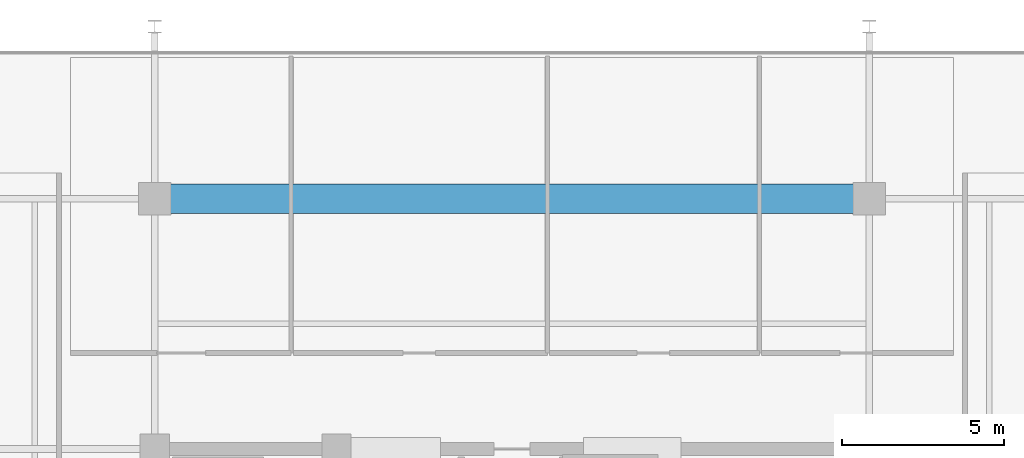
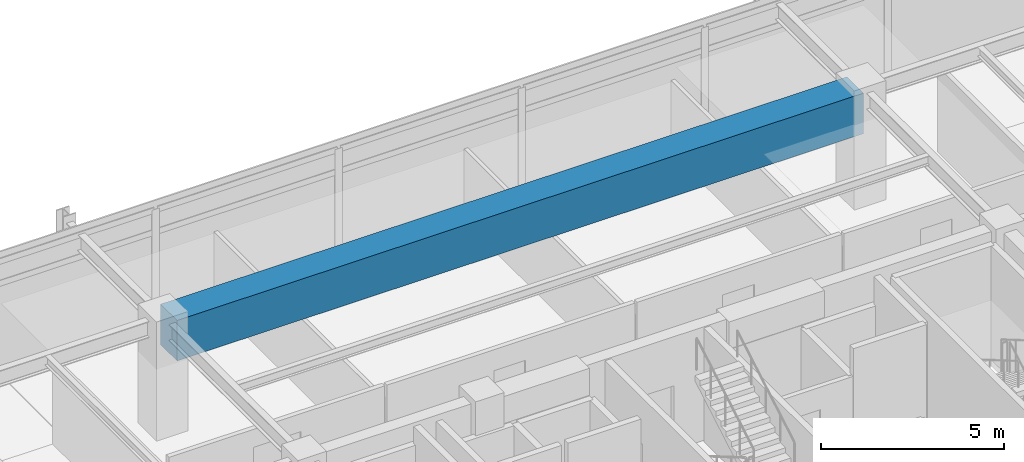
# One storey, part 8 of 20: 1 beam.
"""IFC4 building model written with IfcOpenShell, lengths in metres."""

from ifc_helpers import new_model, si_unit, direction, frame, origin, origin_2d, place, context, subcontext, project, spatial, rectangle, extrude, material, material_profile, profile_set, type_object, element, save


model = new_model("IFC4")

# Units and contexts
model_context = context("Model", 3, precision=1e-05, world=origin(), true_north=direction((0.0, 1.0)))
body_context = subcontext(model_context, "Body", "Model", "MODEL_VIEW")
ifc_project = project(units=[si_unit("LENGTHUNIT", "METRE"), si_unit("AREAUNIT", "SQUARE_METRE"), si_unit("VOLUMEUNIT", "CUBIC_METRE"), si_unit("PLANEANGLEUNIT", "RADIAN"), si_unit("MASSUNIT", "GRAM", prefix="KILO")], contexts=[model_context])

# Site, building, storey
site_placement = place(None, origin())
site = spatial("IfcSite", under=ifc_project, at=site_placement, CompositionType="ELEMENT")
building_placement = place(site_placement, origin())
building = spatial("IfcBuilding", under=site, at=building_placement, Name="Kovane Verandah Tower", CompositionType="ELEMENT")
storey_placement = place(building_placement, frame((0.0, 0.0, 306.800048828125)))
storey = spatial("IfcBuildingStorey", under=building, at=storey_placement, Name="L71", CompositionType="ELEMENT", Elevation=306.800048828125)

# Beam
ifc_material = material(Name="Concrete C80/95", Category="concrete")
ifc_material_profile = material_profile(ifc_material, rectangle(XDim=0.89990234375, YDim=1.35009765625, at=origin_2d()), Name="RCB900x1350")
ifc_profile_set = profile_set([ifc_material_profile], Name="Concrete C80/95")
beam_type = type_object("IfcBeamType", Name="BM-TR-900x1350", PredefinedType="BEAM", material=ifc_profile_set)
beam_placement = place(storey_placement, frame((29.179931640625, 44.199951171875, 3.10986328125), z_axis=(1.0, 0.0, 0.0), x_axis=(0.0, 1.0, 0.0)))
element("IfcBeam", 1, at=beam_placement, inside=storey, type_object=beam_type, Name="L71 Primary Tower Girder G-RN2", PredefinedType="BEAM", context=body_context, shape_type="SweptSolid", body=[
    extrude(rectangle(XDim=0.89990234375, YDim=1.35009765625, at=origin_2d()), origin(), (0.0, 0.0, 1.0), 21.64013671875),
])

save(model, "model.ifc")
